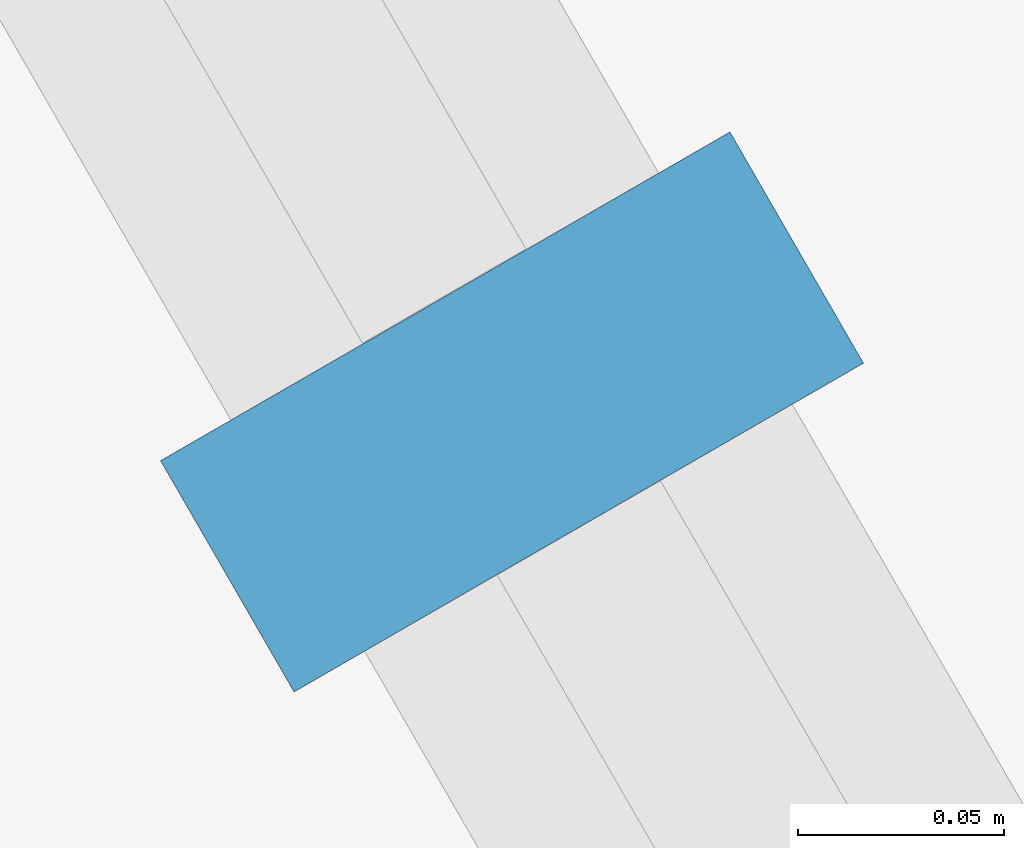
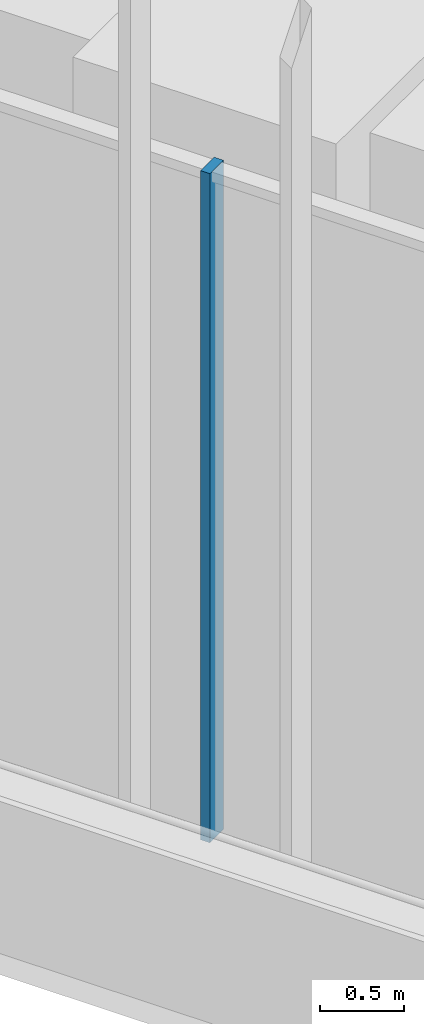
# One storey, part 10 of 228: 1 member, 1 element without a shape of its own.
"""IFC4 building model written with IfcOpenShell, lengths in metres."""

import ifcopenshell
import ifcopenshell.guid

model = None  # the IFC model being written
_history = None  # IfcOwnerHistory: only IFC2X3 demands one
_inside = {}  # id of a spatial element -> (the spatial element, [elements in it])
_under = {}  # id of a project, library or spatial element -> (it, [spatial elements below it])
_declared = {}  # id of a project -> (the project, [libraries it declares])
_typed = {}  # id of a type object -> (the type object, [elements of that type])
_made_of = {}  # id of a material, layer set ... -> (it, [elements and type objects made of it])


def new_model(schema):
    """Start an empty IFC model of exactly this schema.

    Asked for "IFC4X3", IfcOpenShell would pick the latest addendum, in which some entities
    have other attributes; the version numbers below select the first issue.
    IFC2X3 requires an IfcOwnerHistory on every rooted entity: one is made here for all.
    """
    global model, _history
    if schema == "IFC4X3":
        model = ifcopenshell.file(schema_version=(4, 3, 0, 0))
    else:
        model = ifcopenshell.file(schema=schema)
    _inside.clear()
    _under.clear()
    _declared.clear()
    _typed.clear()
    _made_of.clear()
    _history = None
    if model.schema == "IFC2X3":
        org = make("IfcOrganization", Name="unknown")
        user = make(
            "IfcPersonAndOrganization",
            ThePerson=make("IfcPerson", FamilyName="unknown"),
            TheOrganization=org,
        )
        app = make(
            "IfcApplication",
            ApplicationDeveloper=org,
            Version="unknown",
            ApplicationFullName="unknown",
            ApplicationIdentifier="unknown",
        )
        _history = make(
            "IfcOwnerHistory",
            OwningUser=user,
            OwningApplication=app,
            ChangeAction="ADDED",
            CreationDate=0,
        )
    return model


def make(cls, **values):
    """One entity of the class cls with the attributes given. An attribute that is None is left unset."""
    return model.create_entity(
        cls, **{name: value for name, value in values.items() if value is not None}
    )


def rooted(cls, **values):
    """An entity with a GlobalId (a new one), such as an element, a storey or a relation."""
    return make(cls, GlobalId=ifcopenshell.guid.new(), OwnerHistory=_history, **values)


def si_unit(unit_type, name, prefix=None):
    """IfcSIUnit, for example si_unit("LENGTHUNIT", "METRE", prefix="MILLI")."""
    return make("IfcSIUnit", UnitType=unit_type, Prefix=prefix, Name=name)


def assignment(units):
    """IfcUnitAssignment: the units of a project."""
    return None if units is None else make("IfcUnitAssignment", Units=units)


def point(xyz):
    """IfcCartesianPoint."""
    return None if xyz is None else make("IfcCartesianPoint", Coordinates=xyz)


def direction(xyz):
    """IfcDirection."""
    return None if xyz is None else make("IfcDirection", DirectionRatios=xyz)


def frame(location, z_axis=None, x_axis=None):
    """IfcAxis2Placement3D, a coordinate frame: its origin and axes. An axis left out is left unset."""
    return make(
        "IfcAxis2Placement3D",
        Location=point(location),
        Axis=direction(z_axis),
        RefDirection=direction(x_axis),
    )


def frame_2d(location, x_axis=None):
    """IfcAxis2Placement2D, a coordinate frame in the plane: its origin and x axis."""
    return make(
        "IfcAxis2Placement2D", Location=point(location), RefDirection=direction(x_axis)
    )


def origin():
    """The frame at (0, 0, 0) with its axes left unset."""
    return frame((0.0, 0.0, 0.0))


def origin_2d():
    """The frame at (0, 0) in the plane with its x axis left unset."""
    return frame_2d((0.0, 0.0))


def place(relative_to, where):
    """IfcLocalPlacement: puts the frame where relative to a parent placement (None: the world)."""
    return make(
        "IfcLocalPlacement", PlacementRelTo=relative_to, RelativePlacement=where
    )


def context(
    kind, dimensions, precision=None, world=None, true_north=None, identifier=None
):
    """IfcGeometricRepresentationContext, for example the 3D "Model" context."""
    return make(
        "IfcGeometricRepresentationContext",
        ContextIdentifier=identifier,
        ContextType=kind,
        CoordinateSpaceDimension=dimensions,
        Precision=precision,
        WorldCoordinateSystem=world,
        TrueNorth=true_north,
    )


def subcontext(parent, identifier, kind, view, scale=None):
    """IfcGeometricRepresentationSubContext, for example "Body" below "Model"."""
    return make(
        "IfcGeometricRepresentationSubContext",
        ContextIdentifier=identifier,
        ContextType=kind,
        ParentContext=parent,
        TargetScale=scale,
        TargetView=view,
    )


def project(units=None, contexts=None):
    """IfcProject with its units and contexts."""
    return rooted(
        "IfcProject",
        Name="project",
        RepresentationContexts=contexts,
        UnitsInContext=assignment(units),
    )


def spatial(cls, under=None, at=None, **own):
    """A site, building, storey or space (cls), placed at a placement, below another one or the project."""
    s = rooted(cls, ObjectPlacement=at, **own)
    if under is not None:
        _under.setdefault(under.id(), (under, []))[1].append(s)
    return s


def profile(cls, at=None, kind="AREA", **sizes):
    """A parametric profile (cls). Its sizes go by their IFC names, for example OverallWidth=200.0."""
    return make(cls, ProfileType=kind, Position=at, **sizes)


def rectangle(**sizes):
    """IfcRectangleProfileDef."""
    return profile("IfcRectangleProfileDef", **sizes)


def extrude(swept, where, along, depth):
    """IfcExtrudedAreaSolid: the profile swept, set in the frame where, extruded along a direction by depth."""
    return make(
        "IfcExtrudedAreaSolid",
        SweptArea=swept,
        Position=where,
        ExtrudedDirection=direction(along),
        Depth=depth,
    )


def shape(context_of_items, identifier, shape_type, items):
    """IfcShapeRepresentation: the items that make up one representation, for example the "Body"."""
    return make(
        "IfcShapeRepresentation",
        ContextOfItems=context_of_items,
        RepresentationIdentifier=identifier,
        RepresentationType=shape_type,
        Items=items,
    )


def material(Name=None, Category=None):
    """IfcMaterial."""
    return make("IfcMaterial", Name=Name, Category=Category)


def material_profile(
    of_material, cross_section, Name=None, Category=None, Priority=None
):
    """IfcMaterialProfile: a cross section and its material."""
    return make(
        "IfcMaterialProfile",
        Name=Name,
        Material=of_material,
        Profile=cross_section,
        Priority=Priority,
        Category=Category,
    )


def profile_set(profiles, Name=None, composite=None):
    """IfcMaterialProfileSet."""
    return make(
        "IfcMaterialProfileSet",
        Name=Name,
        MaterialProfiles=profiles,
        CompositeProfile=composite,
    )


def made_of(thing, what):
    """Note that an element or type object is made of a material, layer set ...; save() writes the relation."""
    if what is not None:
        _made_of.setdefault(what.id(), (what, []))[1].append(thing)
    return thing


def type_object(cls, material=None, **own):
    """A type object (cls), such as IfcWallType, which elements share."""
    return made_of(rooted(cls, **own), material)


def element(
    cls,
    number,
    at=None,
    inside=None,
    cuts=None,
    type_object=None,
    material=None,
    context=None,
    identifier="Body",
    shape_type=None,
    held_by="IfcProductDefinitionShape",
    body=None,
    shapes=None,
    **own,
):
    """One element of the class cls, such as IfcWall. Its Tag is "e" and its number.

    at: its placement. inside: the storey or other place that contains it. cuts: it is an
    opening in that element (IfcRelVoidsElement). A single representation is given by context,
    identifier, shape_type and body (its items); several are given by shapes. held_by: the class
    of the entity that holds the representations. save() writes the other relations.
    """
    e = rooted(cls, Tag="e%d" % number, ObjectPlacement=at, **own)
    if body is not None:
        shapes = [shape(context, identifier, shape_type, body)]
    if shapes is not None:
        e.Representation = make(held_by, Representations=shapes)
    if inside is not None:
        _inside.setdefault(inside.id(), (inside, []))[1].append(e)
    if cuts is not None:
        rooted(
            "IfcRelVoidsElement", RelatingBuildingElement=cuts, RelatedOpeningElement=e
        )
    if type_object is not None:
        _typed.setdefault(type_object.id(), (type_object, []))[1].append(e)
    return made_of(e, material)


def aggregate(whole, parts):
    """IfcRelAggregates: a whole, such as a stair, and the parts it consists of."""
    return rooted("IfcRelAggregates", RelatingObject=whole, RelatedObjects=parts)


def save(model, path):
    """Write the relations noted so far, then the file.

    IfcRelAggregates (storeys below a building ...), IfcRelContainedInSpatialStructure (elements
    in a storey), IfcRelDefinesByType, IfcRelAssociatesMaterial and IfcRelDeclares: one each for
    every whole, place, type object, material and project.
    """
    for whole, parts in _under.values():
        aggregate(whole, parts)
    for where, things in _inside.values():
        rooted(
            "IfcRelContainedInSpatialStructure",
            RelatedElements=things,
            RelatingStructure=where,
        )
    for kind, things in _typed.values():
        rooted("IfcRelDefinesByType", RelatedObjects=things, RelatingType=kind)
    for what, things in _made_of.values():
        rooted("IfcRelAssociatesMaterial", RelatedObjects=things, RelatingMaterial=what)
    for by, libraries in _declared.values():
        rooted("IfcRelDeclares", RelatingContext=by, RelatedDefinitions=libraries)
    model.write(path)


model = new_model("IFC4")

# Units and contexts
model_context = context("Model", 3, precision=1e-05, world=origin(), true_north=direction((0.0, 1.0)))
body_context = subcontext(model_context, "Body", "Model", "MODEL_VIEW")
ifc_project = project(units=[si_unit("LENGTHUNIT", "METRE"), si_unit("AREAUNIT", "SQUARE_METRE"), si_unit("VOLUMEUNIT", "CUBIC_METRE"), si_unit("PLANEANGLEUNIT", "RADIAN"), si_unit("MASSUNIT", "GRAM", prefix="KILO")], contexts=[model_context])

# Site, building, storey
site_placement = place(None, origin())
site = spatial("IfcSite", under=ifc_project, at=site_placement, CompositionType="ELEMENT")
building_placement = place(site_placement, origin())
building = spatial("IfcBuilding", under=site, at=building_placement, Name="Sandreach Pilgrim Tower", CompositionType="ELEMENT")
storey_placement = place(building_placement, frame((0.0, 0.0, 178.199951171875)))
storey = spatial("IfcBuildingStorey", under=building, at=storey_placement, Name="L44", CompositionType="ELEMENT", Elevation=178.199951171875)

# Curtain wall, member
ifc_material_1 = material(Name="Aluminium framed curtain wall", Category="aluminium")
curtain_wall_type = type_object("IfcCurtainWallType", Name="Upper hotel tower curtain wall", PredefinedType="NOTDEFINED", material=ifc_material_1)
curtain_wall_placement = place(storey_placement, origin())
curtain_wall = element("IfcCurtainWall", 1, at=curtain_wall_placement, inside=storey, type_object=curtain_wall_type, Name="CW-3 L44 SW", PredefinedType="NOTDEFINED")
ifc_material_2 = material(Name="Aluminium extrusion", Category="aluminium")
ifc_material_profile = material_profile(ifc_material_2, rectangle(XDim=0.06494140625, YDim=0.159912109375, at=origin_2d()), Name="CW-3M 65X160")
ifc_profile_set = profile_set([ifc_material_profile], Name="Aluminium extrusion")
member_type = type_object("IfcMemberType", Name="CW-3 mullion", PredefinedType="MULLION", material=ifc_profile_set)
member_placement = place(storey_placement, frame((-15.4267578125, -15.60009765625, 0.0), z_axis=(0.0, 0.0, 1.0), x_axis=(-0.5, 0.866025403784, 0.0)))
member = element("IfcMember", 2, at=member_placement, type_object=member_type, Name="CW-3 mullion 4", PredefinedType="MULLION", context=body_context, shape_type="SweptSolid", body=[
    extrude(rectangle(XDim=0.06494140625, YDim=0.159912109375, at=origin_2d()), origin(), (0.0, 0.0, 1.0), 4.840087890625),
])
aggregate(curtain_wall, [member])

save(model, "model.ifc")
